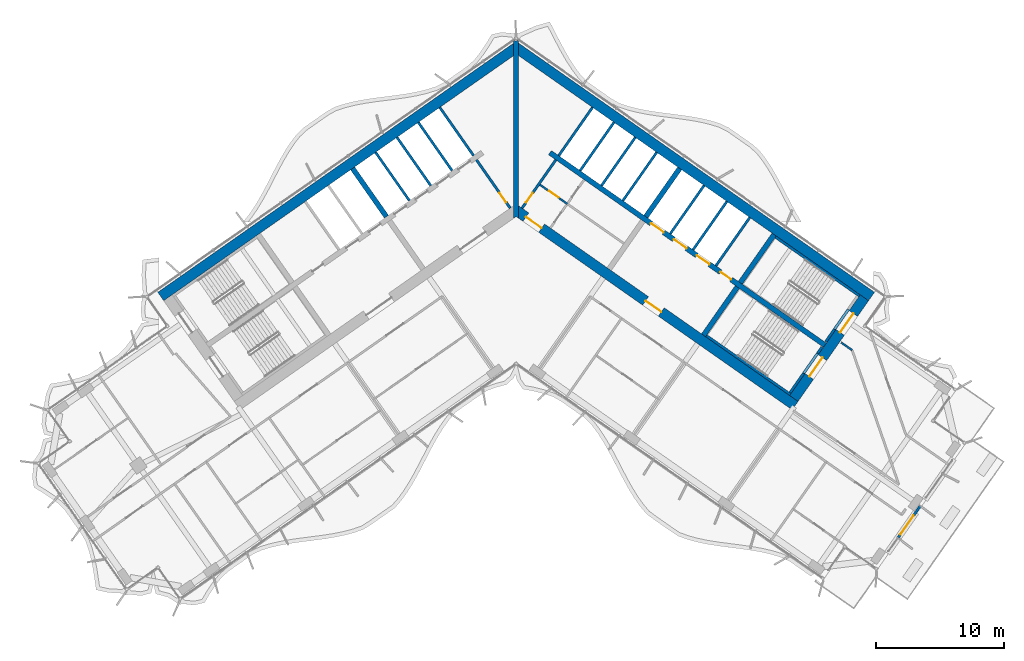
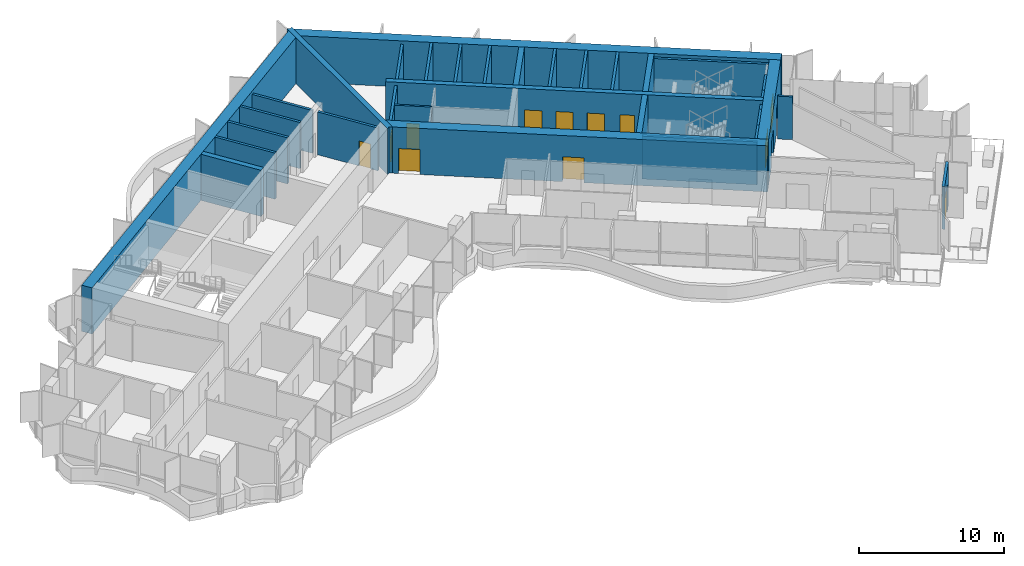
# One storey, part 15 of 23: 33 walls, 12 doors, 12 openings.
"""IFC4 building model written with IfcOpenShell, lengths in metres."""

from ifc_helpers import new_model, si_unit, direction, frame, frame_2d, origin, place, context, subcontext, project, spatial, polyline, rectangle, outline, extrude, material, layer, layer_set, type_object, element, fill, save


model = new_model("IFC4")

# Units and contexts
model_context = context("Model", 3, precision=1e-05, world=origin(), true_north=direction((0.0, 1.0)))
body_context = subcontext(model_context, "Body", "Model", "MODEL_VIEW")
ifc_project = project(units=[si_unit("LENGTHUNIT", "METRE"), si_unit("AREAUNIT", "SQUARE_METRE"), si_unit("VOLUMEUNIT", "CUBIC_METRE"), si_unit("PLANEANGLEUNIT", "RADIAN"), si_unit("MASSUNIT", "GRAM", prefix="KILO")], contexts=[model_context])

# Site, building, storey
site_placement = place(None, origin())
site = spatial("IfcSite", under=ifc_project, at=site_placement, CompositionType="ELEMENT")
building_placement = place(site_placement, origin())
building = spatial("IfcBuilding", under=site, at=building_placement, Name="Tel Ilan Convention Tower", CompositionType="ELEMENT")
storey_placement = place(building_placement, frame((0.0, 0.0, 190.5)))
storey = spatial("IfcBuildingStorey", under=building, at=storey_placement, Name="L44", CompositionType="ELEMENT", Elevation=190.5)

# Wall, opening, door
ifc_material_1 = material(Name="Gypsum Plasterboard on Steel Stud", Category="steel")
ifc_layer_1 = layer(ifc_material_1, 0.14990234375)
ifc_layer_set_1 = layer_set([ifc_layer_1], Name="Core Room Partition Wall 150 mm EI 60")
wall_type_1 = type_object("IfcWallType", Name="Core Room Partition Wall 150 mm EI 60", PredefinedType="PARTITIONING", material=ifc_layer_set_1)
wall_1_placement = place(storey_placement, frame((1.85986328125, 1.261474609375, 0.0), z_axis=(0.0, 0.0, 1.0), x_axis=(0.819103967032, -0.573645091666, 0.0)))
wall_1 = element("IfcWall", 1, at=wall_1_placement, inside=storey, type_object=wall_type_1, Name="L44 core wall wc-h1", PredefinedType="PARTITIONING", context=body_context, shape_type="SweptSolid", body=[
    extrude(rectangle(XDim=2.599853515625, YDim=0.14990234375, at=frame_2d((1.2998046875, 0.0))), origin(), (0.0, 0.0, 1.0), 3.6201171875),
])
opening_1_placement = place(wall_1_placement, frame((0.85009765625, 0.0, 0.0)))
opening_1 = element("IfcOpeningElement", 2, at=opening_1_placement, cuts=wall_1, Name="Opening CD3409", PredefinedType="OPENING", context=body_context, shape_type="SweptSolid", body=[
    extrude(rectangle(XDim=0.89990234375, YDim=2.10009765625, at=frame_2d((0.449951171875, 1.050048828125))), frame((0.0, 0.0849609375, 0.0), z_axis=(0.0, -1.0, 0.0), x_axis=(1.0, 0.0, 0.0)), (0.0, 0.0, 1.0), 0.169921875),
])
ifc_material_2 = material(Name="Laminated Timber Door Leaf", Category="wood")
door_type_1 = type_object("IfcDoorType", Name="Toilet Door 900 x 2100 FD30S", OperationType="NOTDEFINED", PredefinedType="DOOR", material=ifc_material_2)
door_1_placement = place(opening_1_placement, origin())
door_1 = element("IfcDoor", 3, at=door_1_placement, inside=storey, type_object=door_type_1, Name="Accessible WC door", OperationType="SINGLE_SWING_RIGHT", OverallHeight=2.10009765625, OverallWidth=0.89990234375, PredefinedType="DOOR", context=body_context, shape_type="SweptSolid", body=[
    extrude(rectangle(XDim=0.89990234375, YDim=2.10009765625, at=frame_2d((0.449951171875, 1.050048828125))), frame((0.0, 0.02490234375, 0.0), z_axis=(0.0, -1.0, 0.0), x_axis=(1.0, 0.0, 0.0)), (0.0, 0.0, 1.0), 0.050048828125),
])
fill(opening_1, door_1)

ifc_material_3 = material(Name="Concrete C30/37", Category="concrete")
ifc_layer_2 = layer(ifc_material_3, 0.199951171875)
ifc_layer_set_2 = layer_set([ifc_layer_2], Name="Core Service Room Wall 200 mm C30/37")
wall_type_2 = type_object("IfcWallType", Name="Core Service Room Wall 200 mm C30/37", PredefinedType="SOLIDWALL", material=ifc_layer_set_2)
wall_2_placement = place(storey_placement, frame((-0.458740234375, -0.565185546875, 0.0), z_axis=(0.0, 0.0, 1.0), x_axis=(-0.573576324356, 0.819152122709, 0.0)))
wall_2 = element("IfcWall", 4, at=wall_2_placement, inside=storey, type_object=wall_type_2, Name="L44 core wall apex-W", PredefinedType="SOLIDWALL", context=body_context, shape_type="SweptSolid", body=[
    extrude(rectangle(XDim=4.599853515625, YDim=0.199951171875, at=frame_2d((2.2998046875, 0.0))), origin(), (0.0, 0.0, 1.0), 3.6201171875),
])
opening_2_placement = place(wall_2_placement, frame((0.550048828125, 0.0, 0.0)))
opening_2 = element("IfcOpeningElement", 5, at=opening_2_placement, cuts=wall_2, Name="Opening CD3402", PredefinedType="OPENING", context=body_context, shape_type="SweptSolid", body=[
    extrude(rectangle(XDim=0.89990234375, YDim=2.10009765625, at=frame_2d((0.449951171875, 1.050048828125))), frame((0.0, 0.10986328125, 0.0), z_axis=(0.0, -1.0, 0.0), x_axis=(1.0, 0.0, 0.0)), (0.0, 0.0, 1.0), 0.219970703125),
])
ifc_material_4 = material(Name="Galvanised Steel Door Leaf", Category="steel")
door_type_2 = type_object("IfcDoorType", Name="Service Room Door 900 x 2100 FD60", OperationType="NOTDEFINED", PredefinedType="DOOR", material=ifc_material_4)
door_2_placement = place(opening_2_placement, origin())
door_2 = element("IfcDoor", 6, at=door_2_placement, inside=storey, type_object=door_type_2, Name="Electrical Room door", OperationType="SINGLE_SWING_RIGHT", OverallHeight=2.10009765625, OverallWidth=0.89990234375, PredefinedType="DOOR", context=body_context, shape_type="SweptSolid", body=[
    extrude(rectangle(XDim=0.89990234375, YDim=2.10009765625, at=frame_2d((0.449951171875, 1.050048828125))), frame((0.0, 0.02490234375, 0.0), z_axis=(0.0, -1.0, 0.0), x_axis=(1.0, 0.0, 0.0)), (0.0, 0.0, 1.0), 0.050048828125),
])
fill(opening_2, door_2)

# Wall
wall_3_placement = place(storey_placement, frame((-3.32666015625, 3.530517578125, 0.0), z_axis=(0.0, 0.0, 1.0), x_axis=(-0.573576324356, 0.819152122709, 0.0)))
element("IfcWall", 7, at=wall_3_placement, inside=storey, type_object=wall_type_2, Name="L44 core wall apex-W-b", PredefinedType="SOLIDWALL", context=body_context, shape_type="SweptSolid", body=[
    extrude(rectangle(XDim=4.599853515625, YDim=0.199951171875, at=frame_2d((2.2998046875, 0.0))), origin(), (0.0, 0.0, 1.0), 3.6201171875),
])

# Wall, opening, door
wall_4_placement = place(storey_placement, frame((0.458740234375, -0.565185546875, 0.0), z_axis=(0.0, 0.0, 1.0), x_axis=(0.573576324356, 0.819152122709, 0.0)))
wall_4 = element("IfcWall", 8, at=wall_4_placement, inside=storey, type_object=wall_type_2, Name="L44 core wall apex-E", PredefinedType="SOLIDWALL", context=body_context, shape_type="SweptSolid", body=[
    extrude(rectangle(XDim=4.599853515625, YDim=0.199951171875, at=frame_2d((2.2998046875, 0.0))), origin(), (0.0, 0.0, 1.0), 3.6201171875),
])
opening_3_placement = place(wall_4_placement, frame((0.550048828125, 0.0, 0.0)))
opening_3 = element("IfcOpeningElement", 9, at=opening_3_placement, cuts=wall_4, Name="Opening CD3401", PredefinedType="OPENING", context=body_context, shape_type="SweptSolid", body=[
    extrude(rectangle(XDim=0.89990234375, YDim=2.10009765625, at=frame_2d((0.449951171875, 1.050048828125))), frame((0.0, 0.10986328125, 0.0), z_axis=(0.0, -1.0, 0.0), x_axis=(1.0, 0.0, 0.0)), (0.0, 0.0, 1.0), 0.219970703125),
])
door_3_placement = place(opening_3_placement, origin())
door_3 = element("IfcDoor", 10, at=door_3_placement, inside=storey, type_object=door_type_2, Name="Store Room door", OperationType="SINGLE_SWING_RIGHT", OverallHeight=2.10009765625, OverallWidth=0.89990234375, PredefinedType="DOOR", context=body_context, shape_type="SweptSolid", body=[
    extrude(rectangle(XDim=0.89990234375, YDim=2.10009765625, at=frame_2d((0.449951171875, 1.050048828125))), frame((0.0, 0.02490234375, 0.0), z_axis=(0.0, -1.0, 0.0), x_axis=(1.0, 0.0, 0.0)), (0.0, 0.0, 1.0), 0.050048828125),
])
fill(opening_3, door_3)

# Walls
wall_5_placement = place(storey_placement, frame((3.32666015625, 3.530517578125, 0.0), z_axis=(0.0, 0.0, 1.0), x_axis=(0.573576324356, 0.819152122709, 0.0)))
element("IfcWall", 11, at=wall_5_placement, inside=storey, type_object=wall_type_2, Name="L44 core wall apex-E-b", PredefinedType="SOLIDWALL", context=body_context, shape_type="SweptSolid", body=[
    extrude(rectangle(XDim=4.599853515625, YDim=0.199951171875, at=frame_2d((2.2998046875, 0.0))), origin(), (0.0, 0.0, 1.0), 3.6201171875),
])
ifc_material_5 = material(Name="Concrete C50/60", Category="concrete")
ifc_layer_3 = layer(ifc_material_5, 0.39990234375)
ifc_layer_set_3 = layer_set([ifc_layer_3], Name="Core Shear Wall 400 mm C50/60")
wall_type_3 = type_object("IfcWallType", Name="Core Shear Wall 400 mm C50/60", PredefinedType="SHEAR", material=ifc_layer_set_3)
wall_6_placement = place(storey_placement, frame((-10.12548828125, -1.230224609375, 0.0), z_axis=(0.0, 0.0, 1.0), x_axis=(-0.573576324356, 0.819152122709, 0.0)))
element("IfcWall", 12, at=wall_6_placement, inside=storey, type_object=wall_type_3, Name="L44 core wall W-cross1-2", PredefinedType="SHEAR", context=body_context, shape_type="SweptSolid", body=[
    extrude(outline(polyline([(4.60009765625, -0.199951171875), (4.599853515625, 0.199951171875), (0.0, 0.2001953125), (0.0, -0.199951171875), (4.60009765625, -0.199951171875)])), origin(), (0.0, 0.0, 1.0), 3.89990234375),
])
wall_7_placement = place(storey_placement, frame((10.12548828125, -1.230224609375, 0.0), z_axis=(0.0, 0.0, 1.0), x_axis=(0.573576324356, 0.819152122709, 0.0)))
element("IfcWall", 13, at=wall_7_placement, inside=storey, type_object=wall_type_3, Name="L44 core wall E-cross1-2", PredefinedType="SHEAR", context=body_context, shape_type="SweptSolid", body=[
    extrude(outline(polyline([(4.599853515625, -0.199951171875), (4.60009765625, 0.199951171875), (0.0, 0.199951171875), (0.0, -0.2001953125), (4.599853515625, -0.199951171875)])), origin(), (0.0, 0.0, 1.0), 3.89990234375),
])
wall_8_placement = place(storey_placement, frame((14.6298828125, -10.48828125, 0.0), z_axis=(0.0, 0.0, 1.0), x_axis=(0.573611936273, 0.819127185829, 0.0)))
element("IfcWall", 14, at=wall_8_placement, inside=storey, type_object=wall_type_3, Name="L44 core wall E-cross2-1", PredefinedType="SHEAR", context=body_context, shape_type="SweptSolid", body=[
    extrude(outline(polyline([(0.000244140625, 0.199951171875), (0.000244140625, -0.2001953125), (4.60009765625, -0.199951171875), (4.60009765625, 0.2001953125), (0.000244140625, 0.199951171875)])), origin(), (0.0, 0.0, 1.0), 3.89990234375),
])
wall_9_placement = place(storey_placement, frame((17.497802734375, -6.392333984375, 0.0), z_axis=(0.0, 0.0, 1.0), x_axis=(0.573611936273, 0.819127185829, 0.0)))
element("IfcWall", 15, at=wall_9_placement, inside=storey, type_object=wall_type_3, Name="L44 core wall E-cross2-2", PredefinedType="SHEAR", context=body_context, shape_type="SweptSolid", body=[
    extrude(outline(polyline([(4.599853515625, -0.199951171875), (4.599853515625, 0.2001953125), (0.0, 0.199951171875), (0.0, -0.2001953125), (4.599853515625, -0.199951171875)])), origin(), (0.0, 0.0, 1.0), 3.89990234375),
])

# Wall, openings, doors
wall_10_placement = place(storey_placement, frame((2.638427734375, 3.76806640625, 0.0), z_axis=(0.0, 0.0, 1.0), x_axis=(0.81915267502, -0.573575535572, 0.0)))
wall_10 = element("IfcWall", 16, at=wall_10_placement, inside=storey, type_object=wall_type_3, Name="L44 core wall E-spine", PredefinedType="SHEAR", context=body_context, shape_type="SweptSolid", body=[
    extrude(outline(polyline([(0.0, 0.199951171875), (0.0, -0.199951171875), (26.199951171875, -0.199951171875), (26.199951171875, 0.199951171875), (0.0, 0.199951171875)])), origin(), (0.0, 0.0, 1.0), 3.89990234375),
])
opening_4_placement = place(wall_10_placement, frame((9.637451171875, 0.0, 0.0)))
opening_4 = element("IfcOpeningElement", 17, at=opening_4_placement, cuts=wall_10, Name="Opening LD3401", PredefinedType="OPENING", context=body_context, shape_type="SweptSolid", body=[
    extrude(rectangle(XDim=1.199951171875, YDim=2.10009765625, at=frame_2d((0.60009765625, 1.050048828125))), frame((0.0, 0.2099609375, 0.0), z_axis=(0.0, -1.0, 0.0), x_axis=(1.0, 0.0, 0.0)), (0.0, 0.0, 1.0), 0.419921875),
])
opening_5_placement = place(wall_10_placement, frame((11.8125, 0.0, 0.0)))
opening_5 = element("IfcOpeningElement", 18, at=opening_5_placement, cuts=wall_10, Name="Opening LD3402", PredefinedType="OPENING", context=body_context, shape_type="SweptSolid", body=[
    extrude(rectangle(XDim=1.199951171875, YDim=2.10009765625, at=frame_2d((0.60009765625, 1.050048828125))), frame((0.0, 0.2099609375, 0.0), z_axis=(0.0, -1.0, 0.0), x_axis=(1.0, 0.0, 0.0)), (0.0, 0.0, 1.0), 0.419921875),
])
opening_6_placement = place(wall_10_placement, frame((13.987548828125, 0.0, 0.0)))
opening_6 = element("IfcOpeningElement", 19, at=opening_6_placement, cuts=wall_10, Name="Opening LD3403", PredefinedType="OPENING", context=body_context, shape_type="SweptSolid", body=[
    extrude(rectangle(XDim=1.199951171875, YDim=2.10009765625, at=frame_2d((0.60009765625, 1.050048828125))), frame((0.0, 0.2099609375, 0.0), z_axis=(0.0, -1.0, 0.0), x_axis=(1.0, 0.0, 0.0)), (0.0, 0.0, 1.0), 0.419921875),
])
opening_7_placement = place(wall_10_placement, frame((16.262451171875, 0.0, 0.0)))
opening_7 = element("IfcOpeningElement", 20, at=opening_7_placement, cuts=wall_10, Name="Opening CD3407", PredefinedType="OPENING", context=body_context, shape_type="SweptSolid", body=[
    extrude(rectangle(XDim=1.0, YDim=2.10009765625, at=frame_2d((0.5, 1.050048828125))), frame((0.0, 0.2099609375, 0.0), z_axis=(0.0, -1.0, 0.0), x_axis=(1.0, 0.0, 0.0)), (0.0, 0.0, 1.0), 0.419921875),
])
ifc_material_6 = material(Name="Stainless Steel Sliding Door Leaf", Category="steel")
door_type_3 = type_object("IfcDoorType", Name="Lift Landing Door 1200 x 2100 FD120", OperationType="NOTDEFINED", PredefinedType="DOOR", material=ifc_material_6)
door_4_placement = place(opening_4_placement, origin())
door_4 = element("IfcDoor", 21, at=door_4_placement, inside=storey, type_object=door_type_3, Name="Lift FL1 landing door", OperationType="SLIDING_TO_LEFT", OverallHeight=2.10009765625, OverallWidth=1.199951171875, PredefinedType="DOOR", context=body_context, shape_type="SweptSolid", body=[
    extrude(rectangle(XDim=1.199951171875, YDim=2.10009765625, at=frame_2d((0.60009765625, 1.050048828125))), frame((0.0, 0.02490234375, 0.0), z_axis=(0.0, -1.0, 0.0), x_axis=(1.0, 0.0, 0.0)), (0.0, 0.0, 1.0), 0.050048828125),
])
fill(opening_4, door_4)
door_5_placement = place(opening_5_placement, origin())
door_5 = element("IfcDoor", 22, at=door_5_placement, inside=storey, type_object=door_type_3, Name="Lift FL2 landing door", OperationType="SLIDING_TO_RIGHT", OverallHeight=2.10009765625, OverallWidth=1.199951171875, PredefinedType="DOOR", context=body_context, shape_type="SweptSolid", body=[
    extrude(rectangle(XDim=1.199951171875, YDim=2.10009765625, at=frame_2d((0.60009765625, 1.050048828125))), frame((0.0, 0.02490234375, 0.0), z_axis=(0.0, -1.0, 0.0), x_axis=(1.0, 0.0, 0.0)), (0.0, 0.0, 1.0), 0.050048828125),
])
fill(opening_5, door_5)
door_6_placement = place(opening_6_placement, origin())
door_6 = element("IfcDoor", 23, at=door_6_placement, inside=storey, type_object=door_type_3, Name="Lift FL3 landing door", OperationType="SLIDING_TO_LEFT", OverallHeight=2.10009765625, OverallWidth=1.199951171875, PredefinedType="DOOR", context=body_context, shape_type="SweptSolid", body=[
    extrude(rectangle(XDim=1.199951171875, YDim=2.10009765625, at=frame_2d((0.60009765625, 1.050048828125))), frame((0.0, 0.02490234375, 0.0), z_axis=(0.0, -1.0, 0.0), x_axis=(1.0, 0.0, 0.0)), (0.0, 0.0, 1.0), 0.050048828125),
])
fill(opening_6, door_6)
ifc_material_7 = material(Name="Galvanised Steel Door Leaf", Category="steel")
door_type_4 = type_object("IfcDoorType", Name="Service Room Door 1000 x 2100 FD60", OperationType="NOTDEFINED", PredefinedType="DOOR", material=ifc_material_7)
door_7_placement = place(opening_7_placement, origin())
door_7 = element("IfcDoor", 24, at=door_7_placement, inside=storey, type_object=door_type_4, Name="Plant Room door", OperationType="SINGLE_SWING_RIGHT", OverallHeight=2.10009765625, OverallWidth=1.0, PredefinedType="DOOR", context=body_context, shape_type="SweptSolid", body=[
    extrude(rectangle(XDim=1.0, YDim=2.10009765625, at=frame_2d((0.5, 1.050048828125))), frame((0.0, 0.02490234375, 0.0), z_axis=(0.0, -1.0, 0.0), x_axis=(1.0, 0.0, 0.0)), (0.0, 0.0, 1.0), 0.050048828125),
])
fill(opening_7, door_7)

# Walls
wall_11_placement = place(storey_placement, frame((0.0, -1.36083984375, 0.0), z_axis=(0.0, 0.0, 1.0), x_axis=(0.0, 1.0, 0.0)))
element("IfcWall", 25, at=wall_11_placement, inside=storey, type_object=wall_type_3, Name="L44 core wall K-central", PredefinedType="SHEAR", context=body_context, shape_type="SweptSolid", body=[
    extrude(outline(polyline([(0.0, -0.199951171875), (0.14013671875, -0.199951171875), (1.0751953125, -0.199951171875), (12.696044921875, -0.199951171875), (13.812744140625, -0.199951171875), (13.893310546875, -0.199951171875), (13.933349609375, -0.172119140625), (13.812744140625, 0.0), (13.933349609375, 0.172119140625), (13.893310546875, 0.199951171875), (13.812744140625, 0.199951171875), (12.696044921875, 0.199951171875), (1.0751953125, 0.199951171875), (0.14013671875, 0.199951171875), (0.0, 0.199951171875), (0.14013671875, 0.0), (0.0, -0.199951171875)])), origin(), (0.0, 0.0, 1.0), 3.89990234375),
])
ifc_material_8 = material(Name="Concrete C50/60", Category="concrete")
ifc_layer_4 = layer(ifc_material_8, 0.800048828125)
ifc_layer_set_4 = layer_set([ifc_layer_4], Name="Core Shear Wall 800 mm C50/60")
wall_type_4 = type_object("IfcWallType", Name="Core Shear Wall 800 mm C50/60", PredefinedType="SHEAR", material=ifc_layer_set_4)
wall_12_placement = place(storey_placement, frame((0.029296875, 11.984130859375, 0.0), z_axis=(0.0, 0.0, 1.0), x_axis=(-0.819151382952, -0.573577380837, 0.0)))
element("IfcWall", 26, at=wall_12_placement, inside=storey, type_object=wall_type_4, Name="L44 core wall W-back", PredefinedType="SHEAR", context=body_context, shape_type="SweptSolid", body=[
    extrude(outline(polyline([(33.897705078125, 0.39990234375), (0.56005859375, 0.400146484375), (-0.000244140625, -0.39990234375), (33.897705078125, -0.400146484375), (33.897705078125, 0.39990234375)])), origin(), (0.0, 0.0, 1.0), 3.89990234375),
])
wall_13_placement = place(storey_placement, frame((-0.029296875, 11.984130859375, 0.0), z_axis=(0.0, 0.0, 1.0), x_axis=(0.819151382952, -0.573577380837, 0.0)))
element("IfcWall", 27, at=wall_13_placement, inside=storey, type_object=wall_type_4, Name="L44 core wall E-back", PredefinedType="SHEAR", context=body_context, shape_type="SweptSolid", body=[
    extrude(outline(polyline([(33.897705078125, 0.400146484375), (-0.000244140625, 0.39990234375), (0.56005859375, -0.400146484375), (33.897705078125, -0.39990234375), (33.897705078125, 0.400146484375)])), origin(), (0.0, 0.0, 1.0), 3.89990234375),
])

# Wall, openings, doors
wall_14_placement = place(storey_placement, frame((-0.029296875, -0.7119140625, 0.0), z_axis=(0.0, 0.0, 1.0), x_axis=(0.819151758019, -0.573576845187, 0.0)))
wall_14 = element("IfcWall", 28, at=wall_14_placement, inside=storey, type_object=wall_type_4, Name="L44 core wall E-front", PredefinedType="SHEAR", context=body_context, shape_type="SweptSolid", body=[
    extrude(outline(polyline([(26.61572265625, 0.39990234375), (-0.000244140625, 0.39990234375), (0.56005859375, -0.39990234375), (26.61572265625, -0.39990234375), (26.61572265625, 0.39990234375)])), origin(), (0.0, 0.0, 1.0), 3.89990234375),
])
opening_8_placement = place(wall_14_placement, frame((0.9658203125, 0.0, 0.0)))
opening_8 = element("IfcOpeningElement", 29, at=opening_8_placement, cuts=wall_14, Name="Opening CD3403", PredefinedType="OPENING", context=body_context, shape_type="SweptSolid", body=[
    extrude(rectangle(XDim=1.5, YDim=2.10009765625, at=frame_2d((0.75, 1.050048828125))), frame((0.0, 0.409912109375, 0.0), z_axis=(0.0, -1.0, 0.0), x_axis=(1.0, 0.0, 0.0)), (0.0, 0.0, 1.0), 0.820068359375),
])
opening_9_placement = place(wall_14_placement, frame((12.36572265625, 0.0, 0.0)))
opening_9 = element("IfcOpeningElement", 30, at=opening_9_placement, cuts=wall_14, Name="Opening CD3404", PredefinedType="OPENING", context=body_context, shape_type="SweptSolid", body=[
    extrude(rectangle(XDim=1.5, YDim=2.10009765625, at=frame_2d((0.75, 1.050048828125))), frame((0.0, 0.409912109375, 0.0), z_axis=(0.0, -1.0, 0.0), x_axis=(1.0, 0.0, 0.0)), (0.0, 0.0, 1.0), 0.820068359375),
])
ifc_material_9 = material(Name="Glazed Aluminium Door Leaf", Category="aluminium")
door_type_5 = type_object("IfcDoorType", Name="Lobby Opening Door 1500 x 2100 FD60S", OperationType="NOTDEFINED", PredefinedType="DOOR", material=ifc_material_9)
door_8_placement = place(opening_9_placement, origin())
door_8 = element("IfcDoor", 31, at=door_8_placement, inside=storey, type_object=door_type_5, Name="Firefighting Lobby door", OperationType="DOUBLE_DOOR_SINGLE_SWING", OverallHeight=2.10009765625, OverallWidth=1.5, PredefinedType="DOOR", context=body_context, shape_type="SweptSolid", body=[
    extrude(rectangle(XDim=1.5, YDim=2.10009765625, at=frame_2d((0.75, 1.050048828125))), frame((0.0, 0.02490234375, 0.0), z_axis=(0.0, -1.0, 0.0), x_axis=(1.0, 0.0, 0.0)), (0.0, 0.0, 1.0), 0.050048828125),
])
fill(opening_9, door_8)
ifc_material_10 = material(Name="Laminated Timber Door Leaf", Category="wood")
door_type_6 = type_object("IfcDoorType", Name="Toilet Door 1500 x 2100 FD30S", OperationType="NOTDEFINED", PredefinedType="DOOR", material=ifc_material_10)
door_9_placement = place(opening_8_placement, origin())
door_9 = element("IfcDoor", 32, at=door_9_placement, inside=storey, type_object=door_type_6, Name="WC Lobby door", OperationType="SINGLE_SWING_RIGHT", OverallHeight=2.10009765625, OverallWidth=1.5, PredefinedType="DOOR", context=body_context, shape_type="SweptSolid", body=[
    extrude(rectangle(XDim=1.5, YDim=2.10009765625, at=frame_2d((0.75, 1.050048828125))), frame((0.0, 0.02490234375, 0.0), z_axis=(0.0, -1.0, 0.0), x_axis=(1.0, 0.0, 0.0)), (0.0, 0.0, 1.0), 0.050048828125),
])
fill(opening_8, door_9)

wall_15_placement = place(storey_placement, frame((21.6748046875, -15.4208984375, 0.0), z_axis=(0.0, 0.0, 1.0), x_axis=(0.573581815061, 0.819148278049, 0.0)))
wall_15 = element("IfcWall", 33, at=wall_15_placement, inside=storey, type_object=wall_type_4, Name="L44 core wall E-end", PredefinedType="SHEAR", context=body_context, shape_type="SweptSolid", body=[
    extrude(outline(polyline([(9.599853515625, 0.400146484375), (0.0, 0.39990234375), (0.0, -0.39990234375), (9.599853515625, -0.39990234375), (9.599853515625, 0.400146484375)])), origin(), (0.0, 0.0, 1.0), 3.89990234375),
])
opening_10_placement = place(wall_15_placement, frame((6.300048828125, 0.0, 0.0)))
opening_10 = element("IfcOpeningElement", 34, at=opening_10_placement, cuts=wall_15, Name="Opening SD3403", PredefinedType="OPENING", context=body_context, shape_type="SweptSolid", body=[
    extrude(rectangle(XDim=1.800048828125, YDim=2.10009765625, at=frame_2d((0.89990234375, 1.050048828125))), frame((0.0, 0.409912109375, 0.0), z_axis=(0.0, -1.0, 0.0), x_axis=(1.0, 0.0, 0.0)), (0.0, 0.0, 1.0), 0.820068359375),
])
opening_11_placement = place(wall_15_placement, frame((2.10009765625, 0.0, 0.0)))
opening_11 = element("IfcOpeningElement", 35, at=opening_11_placement, cuts=wall_15, Name="Opening SD3404", PredefinedType="OPENING", context=body_context, shape_type="SweptSolid", body=[
    extrude(rectangle(XDim=1.800048828125, YDim=2.10009765625, at=frame_2d((0.89990234375, 1.050048828125))), frame((0.0, 0.409912109375, 0.0), z_axis=(0.0, -1.0, 0.0), x_axis=(1.0, 0.0, 0.0)), (0.0, 0.0, 1.0), 0.820068359375),
])
ifc_material_11 = material(Name="Galvanised Steel Door Leaf", Category="steel")
door_type_7 = type_object("IfcDoorType", Name="Stair Fire Door 1800 x 2100 FD60S", OperationType="NOTDEFINED", PredefinedType="DOOR", material=ifc_material_11)
door_10_placement = place(opening_10_placement, origin())
door_10 = element("IfcDoor", 36, at=door_10_placement, inside=storey, type_object=door_type_7, Name="Stair S3 door", OperationType="DOUBLE_DOOR_SINGLE_SWING", OverallHeight=2.10009765625, OverallWidth=1.800048828125, PredefinedType="DOOR", context=body_context, shape_type="SweptSolid", body=[
    extrude(rectangle(XDim=1.800048828125, YDim=2.10009765625, at=frame_2d((0.89990234375, 1.050048828125))), frame((0.0, 0.02490234375, 0.0), z_axis=(0.0, -1.0, 0.0), x_axis=(1.0, 0.0, 0.0)), (0.0, 0.0, 1.0), 0.050048828125),
])
fill(opening_10, door_10)
door_11_placement = place(opening_11_placement, origin())
door_11 = element("IfcDoor", 37, at=door_11_placement, inside=storey, type_object=door_type_7, Name="Stair S4 door", OperationType="DOUBLE_DOOR_SINGLE_SWING", OverallHeight=2.10009765625, OverallWidth=1.800048828125, PredefinedType="DOOR", context=body_context, shape_type="SweptSolid", body=[
    extrude(rectangle(XDim=1.800048828125, YDim=2.10009765625, at=frame_2d((0.89990234375, 1.050048828125))), frame((0.0, 0.02490234375, 0.0), z_axis=(0.0, -1.0, 0.0), x_axis=(1.0, 0.0, 0.0)), (0.0, 0.0, 1.0), 0.050048828125),
])
fill(opening_11, door_11)

# Walls
ifc_material_12 = material(Name="Plasterboard on Steel Studs", Category="steel")
ifc_layer_5 = layer(ifc_material_12, 0.14990234375)
ifc_layer_set_5 = layer_set([ifc_layer_5], Name="Fire-rated Partition 150 EI 60")
wall_type_5 = type_object("IfcWallType", Name="Fire-rated Partition 150 EI 60", PredefinedType="PARTITIONING", material=ifc_layer_set_5)
wall_16_placement = place(storey_placement, frame((25.36962890625, -11.050537109375, 0.0), z_axis=(0.0, 0.0, 1.0), x_axis=(0.819396161963, -0.573227642181, 0.0)))
element("IfcWall", 38, at=wall_16_placement, inside=storey, type_object=wall_type_5, Name="Partition 017", PredefinedType="PARTITIONING", context=body_context, shape_type="SweptSolid", body=[
    extrude(rectangle(XDim=1.04736328125, YDim=0.14990234375, at=frame_2d((0.523681640625, 0.0))), origin(), (0.0, 0.0, 1.0), 3.6201171875),
])
ifc_material_13 = material(Name="Concrete C30/37", Category="concrete")
ifc_layer_6 = layer(ifc_material_13, 0.199951171875)
ifc_layer_set_6 = layer_set([ifc_layer_6], Name="Lift Shaft Wall 200 mm C30/37")
wall_type_6 = type_object("IfcWallType", Name="Lift Shaft Wall 200 mm C30/37", PredefinedType="SOLIDWALL", material=ifc_layer_set_6)
for number, where, z_axis, x_axis, name in (
    (39, (-4.99560546875, 2.36181640625, 0.0), (0.0, 0.0, 1.0), (-0.573576324356, 0.819152122709, 0.0), "L44 core wall bank-W1-p0"),
    (40, (-6.66455078125, 1.193115234375, 0.0), (0.0, 0.0, 1.0), (-0.573576324356, 0.819152122709, 0.0), "L44 core wall bank-W1-p1"),
):
    element("IfcWall", number, at=place(storey_placement, frame(where, z_axis=z_axis, x_axis=x_axis)), inside=storey, type_object=wall_type_6, Name=name, PredefinedType="SOLIDWALL", context=body_context, shape_type="SweptSolid", body=[
        extrude(rectangle(XDim=4.599853515625, YDim=0.199951171875, at=frame_2d((2.2998046875, 0.0))), origin(), (0.0, 0.0, 1.0), 3.89990234375),
    ])
wall_17_placement = place(storey_placement, frame((-8.33349609375, 0.0244140625, 0.0), z_axis=(0.0, 0.0, 1.0), x_axis=(-0.573611936273, 0.819127185829, 0.0)))
element("IfcWall", 41, at=wall_17_placement, inside=storey, type_object=wall_type_6, Name="L44 core wall bank-W1-p2", PredefinedType="SOLIDWALL", context=body_context, shape_type="SweptSolid", body=[
    extrude(rectangle(XDim=4.60009765625, YDim=0.199951171875, at=frame_2d((2.300048828125, 0.0))), origin(), (0.0, 0.0, 1.0), 3.89990234375),
])
for number, where, z_axis, x_axis, name in (
    (42, (4.99560546875, 2.36181640625, 0.0), (0.0, 0.0, 1.0), (0.573576324356, 0.819152122709, 0.0), "L44 core wall bank-E1-p0"),
    (43, (6.66455078125, 1.193115234375, 0.0), (0.0, 0.0, 1.0), (0.573576324356, 0.819152122709, 0.0), "L44 core wall bank-E1-p1"),
):
    element("IfcWall", number, at=place(storey_placement, frame(where, z_axis=z_axis, x_axis=x_axis)), inside=storey, type_object=wall_type_6, Name=name, PredefinedType="SOLIDWALL", context=body_context, shape_type="SweptSolid", body=[
        extrude(rectangle(XDim=4.599853515625, YDim=0.199951171875, at=frame_2d((2.2998046875, 0.0))), origin(), (0.0, 0.0, 1.0), 3.89990234375),
    ])
wall_18_placement = place(storey_placement, frame((8.33349609375, 0.0244140625, 0.0), z_axis=(0.0, 0.0, 1.0), x_axis=(0.573611936273, 0.819127185829, 0.0)))
element("IfcWall", 44, at=wall_18_placement, inside=storey, type_object=wall_type_6, Name="L44 core wall bank-E1-p2", PredefinedType="SOLIDWALL", context=body_context, shape_type="SweptSolid", body=[
    extrude(rectangle(XDim=4.60009765625, YDim=0.199951171875, at=frame_2d((2.300048828125, 0.0))), origin(), (0.0, 0.0, 1.0), 3.89990234375),
])
for number, where, z_axis, x_axis, name in (
    (45, (12.030029296875, -2.563720703125, 0.0), (0.0, 0.0, 1.0), (0.573576324356, 0.819152122709, 0.0), "L44 core wall bank-E2-p0"),
    (46, (13.811767578125, -3.811279296875, 0.0), (0.0, 0.0, 1.0), (0.573576324356, 0.819152122709, 0.0), "L44 core wall bank-E2-p1"),
    (47, (15.593505859375, -5.058837890625, 0.0), (0.0, 0.0, 1.0), (0.573540709186, 0.819177059558, 0.0), "L44 core wall bank-E2-p2"),
):
    element("IfcWall", number, at=place(storey_placement, frame(where, z_axis=z_axis, x_axis=x_axis)), inside=storey, type_object=wall_type_6, Name=name, PredefinedType="SOLIDWALL", context=body_context, shape_type="SweptSolid", body=[
        extrude(rectangle(XDim=4.599853515625, YDim=0.199951171875, at=frame_2d((2.2998046875, 0.0))), origin(), (0.0, 0.0, 1.0), 3.89990234375),
    ])
ifc_material_14 = material(Name="Concrete C30/37", Category="concrete")
ifc_layer_7 = layer(ifc_material_14, 0.199951171875)
ifc_layer_set_7 = layer_set([ifc_layer_7], Name="Stair and Shaft Lining Wall 200 mm C30/37")
wall_type_7 = type_object("IfcWallType", Name="Stair and Shaft Lining Wall 200 mm C30/37", PredefinedType="SOLIDWALL", material=ifc_layer_set_7)
wall_19_placement = place(storey_placement, frame((20.242919921875, -2.821044921875, 0.0), z_axis=(0.0, 0.0, 1.0), x_axis=(0.819141584393, -0.57359137434, 0.0)))
element("IfcWall", 48, at=wall_19_placement, inside=storey, type_object=wall_type_7, Name="L44 core wall lining-S3-t1", PredefinedType="SOLIDWALL", context=body_context, shape_type="SweptSolid", body=[
    extrude(rectangle(XDim=7.999755859375, YDim=0.199951171875, at=frame_2d((4.0, 0.0))), origin(), (0.0, 0.0, 1.0), 3.6201171875),
])
wall_20_placement = place(storey_placement, frame((24.16162109375, -10.99755859375, 0.0), z_axis=(0.0, 0.0, 1.0), x_axis=(0.573612502218, 0.819126789514, 0.0)))
element("IfcWall", 49, at=wall_20_placement, inside=storey, type_object=wall_type_7, Name="L44 core wall lining-S3-u1-0", PredefinedType="SOLIDWALL", context=body_context, shape_type="SweptSolid", body=[
    extrude(rectangle(XDim=1.2001953125, YDim=0.199951171875, at=frame_2d((0.60009765625, 0.0))), origin(), (0.0, 0.0, 1.0), 3.6201171875),
])
wall_21_placement = place(storey_placement, frame((24.85009765625, -10.014404296875, 2.14990234375), z_axis=(0.0, 0.0, 1.0), x_axis=(0.573505465124, 0.819201734296, 0.0)))
element("IfcWall", 50, at=wall_21_placement, inside=storey, type_object=wall_type_7, Name="L44 core wall lining-S3-u1-lintel", PredefinedType="SOLIDWALL", context=body_context, shape_type="SweptSolid", body=[
    extrude(rectangle(XDim=1.89990234375, YDim=0.199951171875, at=frame_2d((0.949951171875, 0.0))), origin(), (0.0, 0.0, 1.0), 1.47021484375),
])
wall_22_placement = place(storey_placement, frame((14.851318359375, -10.52099609375, 0.0), z_axis=(0.0, 0.0, 1.0), x_axis=(0.819141584393, -0.57359137434, 0.0)))
element("IfcWall", 51, at=wall_22_placement, inside=storey, type_object=wall_type_7, Name="L44 core wall lining-S4-t0", PredefinedType="SOLIDWALL", context=body_context, shape_type="SweptSolid", body=[
    extrude(rectangle(XDim=7.999755859375, YDim=0.199951171875, at=frame_2d((4.0, 0.0))), origin(), (0.0, 0.0, 1.0), 3.6201171875),
])
wall_23_placement = place(storey_placement, frame((21.3798828125, -14.97021484375, 0.0), z_axis=(0.0, 0.0, 1.0), x_axis=(0.573559770908, 0.819163713305, 0.0)))
element("IfcWall", 52, at=wall_23_placement, inside=storey, type_object=wall_type_7, Name="L44 core wall lining-S4-u1-0", PredefinedType="SOLIDWALL", context=body_context, shape_type="SweptSolid", body=[
    extrude(rectangle(XDim=1.849853515625, YDim=0.199951171875, at=frame_2d((0.9248046875, 0.0))), origin(), (0.0, 0.0, 1.0), 3.6201171875),
])
wall_24_placement = place(storey_placement, frame((23.53076171875, -11.8984375, 0.0), z_axis=(0.0, 0.0, 1.0), x_axis=(0.573708088123, 0.819059844958, 0.0)))
element("IfcWall", 53, at=wall_24_placement, inside=storey, type_object=wall_type_7, Name="L44 core wall lining-S4-u1-1", PredefinedType="SOLIDWALL", context=body_context, shape_type="SweptSolid", body=[
    extrude(rectangle(XDim=0.60009765625, YDim=0.199951171875, at=frame_2d((0.300048828125, 0.0))), origin(), (0.0, 0.0, 1.0), 3.6201171875),
])
wall_25_placement = place(storey_placement, frame((22.44091796875, -13.454833984375, 2.14990234375), z_axis=(0.0, 0.0, 1.0), x_axis=(0.573591692345, 0.819141361715, 0.0)))
element("IfcWall", 54, at=wall_25_placement, inside=storey, type_object=wall_type_7, Name="L44 core wall lining-S4-u1-lintel", PredefinedType="SOLIDWALL", context=body_context, shape_type="SweptSolid", body=[
    extrude(rectangle(XDim=1.900146484375, YDim=0.199951171875, at=frame_2d((0.9501953125, 0.0))), origin(), (0.0, 0.0, 1.0), 1.47021484375),
])

# Wall, opening, door
ifc_material_15 = material(Name="Aluminium composite cladding, bronze anodised on steel studs", Category="steel")
ifc_layer_8 = layer(ifc_material_15, 0.199951171875)
ifc_layer_set_8 = layer_set([ifc_layer_8], Name="TERRACE DOOR BAY WALL 200")
wall_type_8 = type_object("IfcWallType", Name="TERRACE DOOR BAY WALL 200", PredefinedType="SOLIDWALL", material=ifc_layer_set_8)
wall_26_placement = place(storey_placement, frame((29.8212890625, -26.27685546875, 0.0), z_axis=(0.0, 0.0, 1.0), x_axis=(0.57360481557, 0.819132172213, 0.0)))
wall_26 = element("IfcWall", 55, at=wall_26_placement, inside=storey, type_object=wall_type_8, Name="Terrace door bay", PredefinedType="SOLIDWALL", context=body_context, shape_type="SweptSolid", body=[
    extrude(rectangle(XDim=2.989990234375, YDim=0.199951171875, at=frame_2d((1.4951171875, 0.0))), origin(), (0.0, 0.0, 1.0), 3.6201171875),
])
opening_12_placement = place(wall_26_placement, frame((0.294921875, 0.0, 0.0)))
opening_12 = element("IfcOpeningElement", 56, at=opening_12_placement, cuts=wall_26, Name="Opening T44.01", PredefinedType="OPENING", context=body_context, shape_type="SweptSolid", body=[
    extrude(rectangle(XDim=1.800048828125, YDim=2.39990234375, at=frame_2d((0.89990234375, 1.199951171875))), frame((0.0, 0.10986328125, 0.0), z_axis=(0.0, -1.0, 0.0), x_axis=(1.0, 0.0, 0.0)), (0.0, 0.0, 1.0), 0.219970703125),
])
ifc_material_16 = material(Name="Aluminium framed glazed door, bronze anodised", Category="aluminium")
door_type_8 = type_object("IfcDoorType", Name="TERRACE DOUBLE DOOR 1800x2400", OperationType="NOTDEFINED", PredefinedType="DOOR", material=ifc_material_16)
door_12_placement = place(opening_12_placement, origin())
door_12 = element("IfcDoor", 57, at=door_12_placement, inside=storey, type_object=door_type_8, Name="Terrace door", OperationType="DOUBLE_DOOR_DOUBLE_SWING", OverallHeight=2.39990234375, OverallWidth=1.800048828125, PredefinedType="DOOR", context=body_context, shape_type="SweptSolid", body=[
    extrude(rectangle(XDim=1.800048828125, YDim=2.39990234375, at=frame_2d((0.89990234375, 1.199951171875))), frame((0.0, 0.02490234375, 0.0), z_axis=(0.0, -1.0, 0.0), x_axis=(1.0, 0.0, 0.0)), (0.0, 0.0, 1.0), 0.050048828125),
])
fill(opening_12, door_12)

save(model, "model.ifc")
